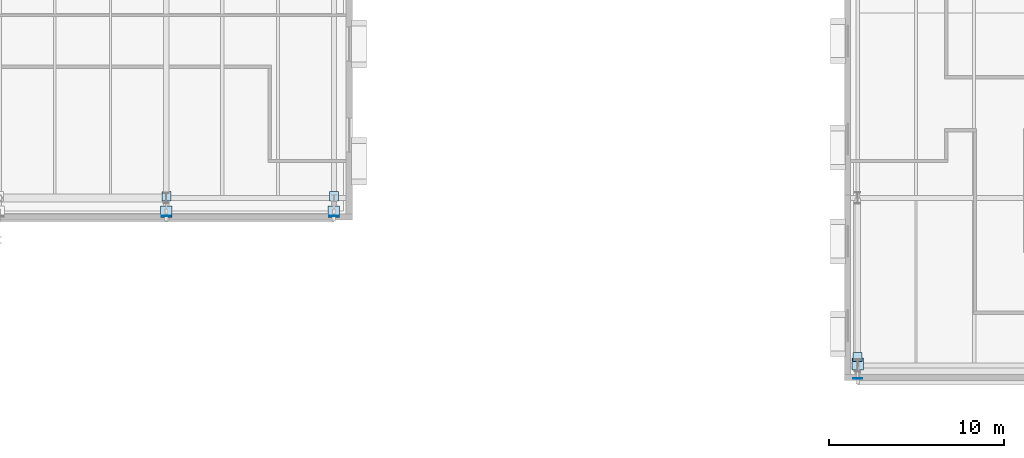
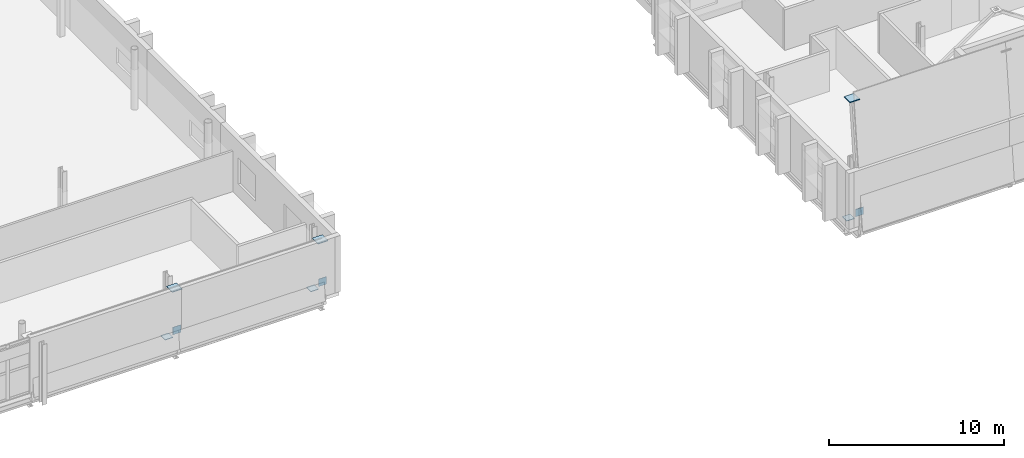
# One storey, part 38 of 57: 9 plates.
"""IFC4 building model written with IfcOpenShell, lengths in metres."""

from ifc_helpers import new_model, si_unit, direction, frame, origin, origin_2d, place, context, subcontext, project, spatial, rectangle, extrude, material, layer, layer_set, type_object, element, save


model = new_model("IFC4")

# Units and contexts
model_context = context("Model", 3, precision=1e-05, world=origin(), true_north=direction((0.0, 1.0)))
body_context = subcontext(model_context, "Body", "Model", "MODEL_VIEW")
ifc_project = project(units=[si_unit("LENGTHUNIT", "METRE"), si_unit("AREAUNIT", "SQUARE_METRE"), si_unit("VOLUMEUNIT", "CUBIC_METRE"), si_unit("PLANEANGLEUNIT", "RADIAN"), si_unit("MASSUNIT", "GRAM", prefix="KILO")], contexts=[model_context])

# Site, building, storey
site_placement = place(None, origin())
site = spatial("IfcSite", under=ifc_project, at=site_placement, CompositionType="ELEMENT")
building_placement = place(site_placement, origin())
building = spatial("IfcBuilding", under=site, at=building_placement, Name="Zereglee Splitstone Museum", CompositionType="ELEMENT")
storey_placement = place(building_placement, frame((0.0, 0.0, 17.10009765625)))
storey = spatial("IfcBuildingStorey", under=building, at=storey_placement, Name="L03", CompositionType="ELEMENT", Elevation=17.10009765625)

# Plates
ifc_material = material(Name="Steel S355J2", Category="steel")
ifc_layer_1 = layer(ifc_material, 0.030029296875)
ifc_layer_set_1 = layer_set([ifc_layer_1], Name="Steel S355J2")
plate_type_1 = type_object("IfcPlateType", Name="NP-04", PredefinedType="SHEET", material=ifc_layer_set_1)
plate_1_placement = place(storey_placement, frame((135.60009765625, 9.699951171875, -0.2548828125), z_axis=(0.0, 0.0, 1.0), x_axis=(1.0, 0.0, 0.0)))
element("IfcPlate", 1, at=plate_1_placement, inside=storey, type_object=plate_type_1, Name="Facet Tie Seal Plate FH-V2SE", PredefinedType="SHEET", context=body_context, shape_type="SweptSolid", body=[
    extrude(rectangle(XDim=0.52001953125, YDim=0.52001953125, at=origin_2d()), origin(), (0.0, 0.0, 1.0), 0.030029296875),
])
plate_2_placement = place(storey_placement, frame((135.60009765625, 8.5703125, 0.659912109375), z_axis=(0.0, 0.0, 1.0), x_axis=(1.0, 0.0, 0.0)))
element("IfcPlate", 2, at=plate_2_placement, inside=storey, type_object=plate_type_1, Name="Facet Tie Seal Plate FH-V2SE", PredefinedType="SHEET", context=body_context, shape_type="SweptSolid", body=[
    extrude(rectangle(XDim=0.52001953125, YDim=0.030029296875, at=origin_2d()), origin(), (0.0, 0.0, 1.0), 0.52001953125),
])
plate_3_placement = place(storey_placement, frame((145.199951171875, 9.699951171875, -0.2548828125), z_axis=(0.0, 0.0, 1.0), x_axis=(1.0, 0.0, 0.0)))
element("IfcPlate", 3, at=plate_3_placement, inside=storey, type_object=plate_type_1, Name="Facet Tie Seal Plate FH-V2SE", PredefinedType="SHEET", context=body_context, shape_type="SweptSolid", body=[
    extrude(rectangle(XDim=0.52001953125, YDim=0.52001953125, at=origin_2d()), origin(), (0.0, 0.0, 1.0), 0.030029296875),
])
plate_4_placement = place(storey_placement, frame((145.199951171875, 8.5703125, 0.659912109375), z_axis=(0.0, 0.0, 1.0), x_axis=(1.0, 0.0, 0.0)))
element("IfcPlate", 4, at=plate_4_placement, inside=storey, type_object=plate_type_1, Name="Facet Tie Seal Plate FH-V2SE", PredefinedType="SHEET", context=body_context, shape_type="SweptSolid", body=[
    extrude(rectangle(XDim=0.52001953125, YDim=0.030029296875, at=origin_2d()), origin(), (0.0, 0.0, 1.0), 0.52001953125),
])
plate_5_placement = place(storey_placement, frame((175.199951171875, 0.5, -0.2548828125), z_axis=(0.0, 0.0, 1.0), x_axis=(1.0, 0.0, 0.0)))
element("IfcPlate", 5, at=plate_5_placement, inside=storey, type_object=plate_type_1, Name="Facet Tie Seal Plate FH-V3S", PredefinedType="SHEET", context=body_context, shape_type="SweptSolid", body=[
    extrude(rectangle(XDim=0.52001953125, YDim=0.52001953125, at=origin_2d()), origin(), (0.0, 0.0, 1.0), 0.030029296875),
])
plate_6_placement = place(storey_placement, frame((175.199951171875, -0.743408203125, 0.659912109375), z_axis=(0.0, 0.0, 1.0), x_axis=(1.0, 0.0, 0.0)))
element("IfcPlate", 6, at=plate_6_placement, inside=storey, type_object=plate_type_1, Name="Facet Tie Seal Plate FH-V3S", PredefinedType="SHEET", context=body_context, shape_type="SweptSolid", body=[
    extrude(rectangle(XDim=0.52001953125, YDim=0.030029296875, at=origin_2d()), origin(), (0.0, 0.0, 1.0), 0.52001953125),
])
ifc_layer_2 = layer(ifc_material, 0.050048828125)
ifc_layer_set_2 = layer_set([ifc_layer_2], Name="Steel S355J2")
plate_type_2 = type_object("IfcPlateType", Name="NP-02", PredefinedType="SHEET", material=ifc_layer_set_2)
for number, where, z_axis, x_axis, name in (
    (7, (135.60009765625, 8.8232421875, 3.6650390625), (0.0, 0.0, 1.0), (1.0, 0.0, 0.0), "Facet Strut Seal Plate FH-V2SE"),
    (8, (145.199951171875, 8.8232421875, 3.6650390625), (0.0, 0.0, 1.0), (1.0, 0.0, 0.0), "Facet Strut Seal Plate FH-V2SE"),
    (9, (175.199951171875, 0.09130859375, 8.3046875), (0.0, 0.0, 1.0), (1.0, 0.0, 0.0), "Facet Strut Seal Plate FH-V3S"),
):
    element("IfcPlate", number, at=place(storey_placement, frame(where, z_axis=z_axis, x_axis=x_axis)), inside=storey, type_object=plate_type_2, Name=name, PredefinedType="SHEET", context=body_context, shape_type="SweptSolid", body=[
        extrude(rectangle(XDim=0.659912109375, YDim=0.659912109375, at=origin_2d()), origin(), (0.0, 0.0, 1.0), 0.050048828125),
    ])

save(model, "model.ifc")
